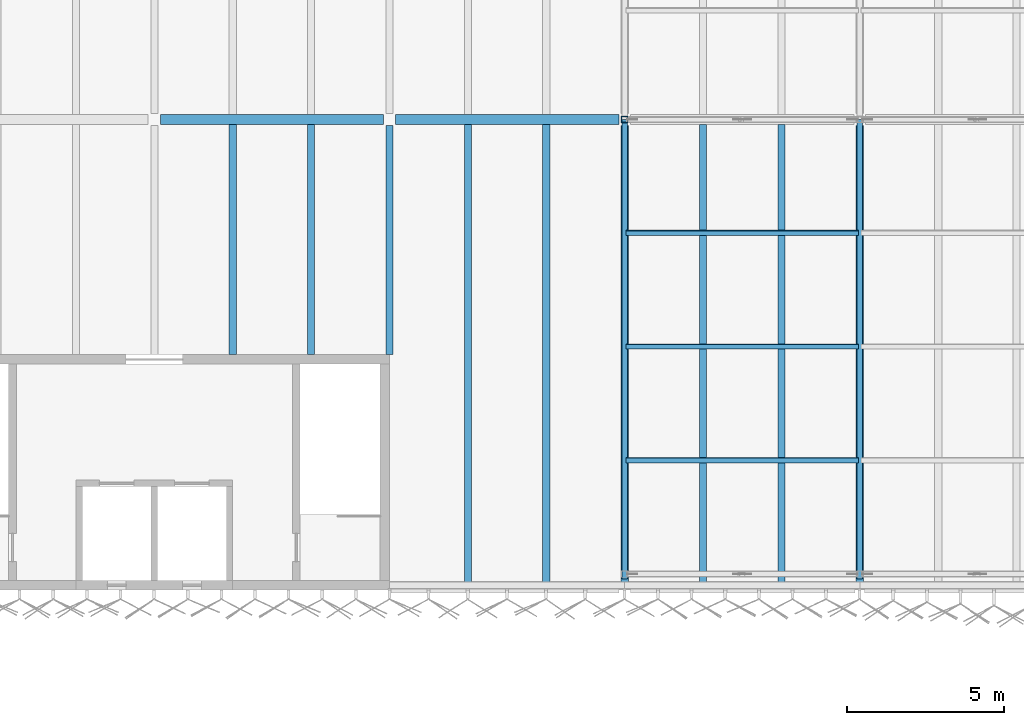
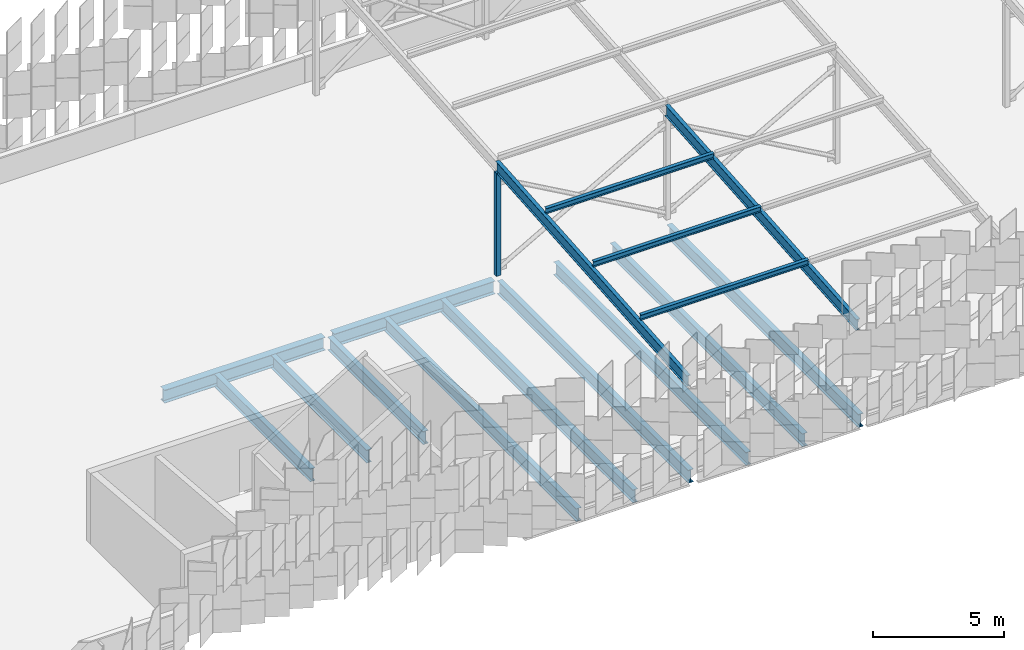
# One storey, part 80 of 483: 11 beams, 6 members.
"""IFC4 building model written with IfcOpenShell, lengths in metres."""

from ifc_helpers import new_model, si_unit, direction, frame, origin, origin_2d, place, context, subcontext, project, spatial, hollow_rectangle, i_section, extrude, material, material_profile, profile_set, type_object, element, save


model = new_model("IFC4")

# Units and contexts
model_context = context("Model", 3, precision=1e-05, world=origin(), true_north=direction((0.0, 1.0)))
body_context = subcontext(model_context, "Body", "Model", "MODEL_VIEW")
ifc_project = project(units=[si_unit("LENGTHUNIT", "METRE"), si_unit("AREAUNIT", "SQUARE_METRE"), si_unit("VOLUMEUNIT", "CUBIC_METRE"), si_unit("PLANEANGLEUNIT", "RADIAN"), si_unit("MASSUNIT", "GRAM", prefix="KILO")], contexts=[model_context])

# Site, building, storey
site_placement = place(None, origin())
site = spatial("IfcSite", under=ifc_project, at=site_placement, CompositionType="ELEMENT")
building_placement = place(site_placement, origin())
building = spatial("IfcBuilding", under=site, at=building_placement, Name="Parallax Yard Mobility Hub", CompositionType="ELEMENT")
storey_placement = place(building_placement, frame((0.0, 0.0, 13.199951171875)))
storey = spatial("IfcBuildingStorey", under=building, at=storey_placement, Name="L04", CompositionType="ELEMENT", Elevation=13.199951171875)

# Members
ifc_material_1 = material(Name="Steel ASTM A500 Gr C", Category="steel")
ifc_material_profile_1 = material_profile(ifc_material_1, hollow_rectangle(XDim=0.203125, YDim=0.203125, WallThickness=0.009521484375, at=origin_2d()), Name="HSS203x203x9.5")
ifc_profile_set_1 = profile_set([ifc_material_profile_1], Name="Steel ASTM A500 Gr C")
member_type_1 = type_object("IfcMemberType", Name="Canopy post HSS203x203x9.5", PredefinedType="POST", material=ifc_profile_set_1)
member_placement = place(storey_placement, frame((150.0, 127.5, 0.0), z_axis=(0.0, 0.0, 1.0), x_axis=(1.0, 0.0, 0.0)))
element("IfcMember", 1, at=member_placement, inside=storey, type_object=member_type_1, Name="Canopy post RB/N-C1", PredefinedType="POST", context=body_context, shape_type="SweptSolid", body=[
    extrude(hollow_rectangle(XDim=0.203125, YDim=0.203125, WallThickness=0.009521484375, at=origin_2d()), origin(), (0.0, 0.0, 1.0), 4.81005859375),
])
ifc_material_2 = material(Name="Steel ASTM A992", Category="steel")
ifc_material_profile_2 = material_profile(ifc_material_2, i_section(OverallWidth=0.14794921875, OverallDepth=0.26611328125, WebThickness=0.007568359375, FlangeThickness=0.012939453125, at=origin_2d()), Name="W250x45")
ifc_profile_set_2 = profile_set([ifc_material_profile_2], Name="Steel ASTM A992")
member_type_2 = type_object("IfcMemberType", Name="Canopy purlin W250x45", PredefinedType="PURLIN", material=ifc_profile_set_2)
for number, where, z_axis, x_axis, name in (
    (2, (150.0400390625, 116.635498046875, 4.592041015625), (1.0, 0.0, 0.0), (0.0, 0.996815308126, 0.079744852409), "Canopy purlin sector N-C bay 1 line 2"),
    (3, (150.0400390625, 120.260498046875, 4.882080078125), (1.0, 0.0, 0.0), (0.0, 0.996815308126, 0.079744852409), "Canopy purlin sector N-C bay 1 line 3"),
    (4, (150.0400390625, 123.885498046875, 5.172119140625), (1.0, 0.0, 0.0), (0.0, 0.996815308126, 0.079744852409), "Canopy purlin sector N-C bay 1 line 4"),
):
    element("IfcMember", number, at=place(storey_placement, frame(where, z_axis=z_axis, x_axis=x_axis)), inside=storey, type_object=member_type_2, Name=name, PredefinedType="PURLIN", context=body_context, shape_type="SweptSolid", body=[
        extrude(i_section(OverallWidth=0.14794921875, OverallDepth=0.26611328125, WebThickness=0.007568359375, FlangeThickness=0.012939453125, at=origin_2d()), origin(), (0.0, 0.0, 1.0), 7.419921875),
    ])
ifc_material_profile_3 = material_profile(ifc_material_2, i_section(OverallWidth=0.166015625, OverallDepth=0.529052734375, WebThickness=0.009765625, FlangeThickness=0.013671875, at=origin_2d()), Name="W530x74")
ifc_profile_set_3 = profile_set([ifc_material_profile_3], Name="Steel ASTM A992")
member_type_3 = type_object("IfcMemberType", Name="Canopy rafter W530x74", PredefinedType="RAFTER", material=ifc_profile_set_3)
for number, where, z_axis, x_axis, name in (
    (5, (150.0, 112.87109375, 3.89501953125), (0.0, 0.996814591838, 0.079753805543), (-1.0, 0.0, 0.0), "Canopy rafter N-C1 inner span"),
    (6, (157.5, 112.87109375, 3.89501953125), (0.0, 0.996814591838, 0.079753805543), (-1.0, 0.0, 0.0), "Canopy rafter N-C2 inner span"),
):
    element("IfcMember", number, at=place(storey_placement, frame(where, z_axis=z_axis, x_axis=x_axis)), inside=storey, type_object=member_type_3, Name=name, PredefinedType="RAFTER", context=body_context, shape_type="SweptSolid", body=[
        extrude(i_section(OverallWidth=0.166015625, OverallDepth=0.529052734375, WebThickness=0.009765625, FlangeThickness=0.013671875, at=origin_2d()), origin(), (0.0, 0.0, 1.0), 14.69677734375),
    ])

# Beams
ifc_material_profile_4 = material_profile(ifc_material_2, i_section(OverallWidth=0.22802734375, OverallDepth=0.60205078125, WebThickness=0.010498046875, FlangeThickness=0.014892578125, FilletRadius=0.0126953125, at=origin_2d()), Name="W610x101")
ifc_profile_set_4 = profile_set([ifc_material_profile_4], Name="Steel ASTM A992")
beam_type_1 = type_object("IfcBeamType", Name="W610x101 secondary beam", PredefinedType="JOIST", material=ifc_profile_set_4)
beam_1_placement = place(storey_placement, frame((137.5, 120.0, -0.44091796875), z_axis=(0.0, 1.0, 0.0), x_axis=(-1.0, 0.0, 0.0)))
element("IfcBeam", 7, at=beam_1_placement, inside=storey, type_object=beam_type_1, Name="Secondary beam B3 level L04, 2.5 m east of line 19 of ramped parking decks, span 1", PredefinedType="JOIST", context=body_context, shape_type="SweptSolid", body=[
    extrude(i_section(OverallWidth=0.22802734375, OverallDepth=0.60205078125, WebThickness=0.010498046875, FlangeThickness=0.014892578125, FilletRadius=0.0126953125, at=origin_2d()), origin(), (0.0, 0.0, 1.0), 7.33740234375),
])
for number, where, z_axis, x_axis, name in (
    (8, (145.0, 112.6044921875, -0.44091796875), (0.0, 1.0, 0.0), (-1.0, 0.0, 0.0), "Secondary beam B3 level L04, 2.5 m east of line 20 of ramped parking decks, span 1"),
    (9, (152.5, 112.6044921875, -0.44091796875), (0.0, 1.0, 0.0), (-1.0, 0.0, 0.0), "Secondary beam B3 level L04, 2.5 m east of line 21 of ramped parking decks, span 1"),
):
    element("IfcBeam", number, at=place(storey_placement, frame(where, z_axis=z_axis, x_axis=x_axis)), inside=storey, type_object=beam_type_1, Name=name, PredefinedType="JOIST", context=body_context, shape_type="SweptSolid", body=[
        extrude(i_section(OverallWidth=0.22802734375, OverallDepth=0.60205078125, WebThickness=0.010498046875, FlangeThickness=0.014892578125, FilletRadius=0.0126953125, at=origin_2d()), origin(), (0.0, 0.0, 1.0), 14.73291015625),
    ])
beam_2_placement = place(storey_placement, frame((140.0, 120.0, -0.44091796875), z_axis=(0.0, 1.0, 0.0), x_axis=(-1.0, 0.0, 0.0)))
element("IfcBeam", 10, at=beam_2_placement, inside=storey, type_object=beam_type_1, Name="Secondary beam B3 level L04, 5 m east of line 19 of ramped parking decks, span 1", PredefinedType="JOIST", context=body_context, shape_type="SweptSolid", body=[
    extrude(i_section(OverallWidth=0.22802734375, OverallDepth=0.60205078125, WebThickness=0.010498046875, FlangeThickness=0.014892578125, FilletRadius=0.0126953125, at=origin_2d()), origin(), (0.0, 0.0, 1.0), 7.33740234375),
])
for number, where, z_axis, x_axis, name in (
    (11, (147.5, 112.6044921875, -0.44091796875), (0.0, 1.0, 0.0), (-1.0, 0.0, 0.0), "Secondary beam B3 level L04, 5 m east of line 20 of ramped parking decks, span 1"),
    (12, (155.0, 112.6044921875, -0.44091796875), (0.0, 1.0, 0.0), (-1.0, 0.0, 0.0), "Secondary beam B3 level L04, 5 m east of line 21 of ramped parking decks, span 1"),
):
    element("IfcBeam", number, at=place(storey_placement, frame(where, z_axis=z_axis, x_axis=x_axis)), inside=storey, type_object=beam_type_1, Name=name, PredefinedType="JOIST", context=body_context, shape_type="SweptSolid", body=[
        extrude(i_section(OverallWidth=0.22802734375, OverallDepth=0.60205078125, WebThickness=0.010498046875, FlangeThickness=0.014892578125, FilletRadius=0.0126953125, at=origin_2d()), origin(), (0.0, 0.0, 1.0), 14.73291015625),
    ])
ifc_material_profile_5 = material_profile(ifc_material_2, i_section(OverallWidth=0.22900390625, OverallDepth=0.612060546875, WebThickness=0.011962890625, FlangeThickness=0.01953125, FilletRadius=0.0126953125, at=origin_2d()), Name="W610x125")
ifc_profile_set_5 = profile_set([ifc_material_profile_5], Name="Steel ASTM A992")
beam_type_2 = type_object("IfcBeamType", Name="W610x125 girder", PredefinedType="BEAM", material=ifc_profile_set_5)
beam_3_placement = place(storey_placement, frame((142.5, 120.0, -0.446044921875), z_axis=(0.0, 1.0, 0.0), x_axis=(-1.0, 0.0, 0.0)))
element("IfcBeam", 13, at=beam_3_placement, inside=storey, type_object=beam_type_2, Name="Girder G3 level L04, line 20 of ramped parking decks, span 1", PredefinedType="BEAM", context=body_context, shape_type="SweptSolid", body=[
    extrude(i_section(OverallWidth=0.22900390625, OverallDepth=0.612060546875, WebThickness=0.011962890625, FlangeThickness=0.01953125, FilletRadius=0.0126953125, at=origin_2d()), origin(), (0.0, 0.0, 1.0), 7.31201171875),
])
beam_4_placement = place(storey_placement, frame((150.0, 112.68408203125, -0.446044921875), z_axis=(0.0, 1.0, 0.0), x_axis=(-1.0, 0.0, 0.0)))
element("IfcBeam", 14, at=beam_4_placement, inside=storey, type_object=beam_type_2, Name="Girder G3 level L04, line 21 of ramped parking decks, span 1", PredefinedType="BEAM", context=body_context, shape_type="SweptSolid", body=[
    extrude(i_section(OverallWidth=0.22900390625, OverallDepth=0.612060546875, WebThickness=0.011962890625, FlangeThickness=0.01953125, FilletRadius=0.0126953125, at=origin_2d()), origin(), (0.0, 0.0, 1.0), 14.6318359375),
])
beam_5_placement = place(storey_placement, frame((157.5, 112.653564453125, -0.446044921875), z_axis=(0.0, 1.0, 0.0), x_axis=(-1.0, 0.0, 0.0)))
element("IfcBeam", 15, at=beam_5_placement, inside=storey, type_object=beam_type_2, Name="Girder G3 level L04, line 22 of ramped parking decks, span 1", PredefinedType="BEAM", context=body_context, shape_type="SweptSolid", body=[
    extrude(i_section(OverallWidth=0.22900390625, OverallDepth=0.612060546875, WebThickness=0.011962890625, FlangeThickness=0.01953125, FilletRadius=0.0126953125, at=origin_2d()), origin(), (0.0, 0.0, 1.0), 14.662353515625),
])
ifc_material_profile_6 = material_profile(ifc_material_2, i_section(OverallWidth=0.324951171875, OverallDepth=0.612060546875, WebThickness=0.0126953125, FlangeThickness=0.01904296875, FilletRadius=0.0126953125, at=origin_2d()), Name="W610x155")
ifc_profile_set_6 = profile_set([ifc_material_profile_6], Name="Steel ASTM A992")
beam_type_3 = type_object("IfcBeamType", Name="W610x155 longitudinal beam", PredefinedType="BEAM", material=ifc_profile_set_6)
beam_6_placement = place(storey_placement, frame((135.197998046875, 127.5, -0.446044921875), z_axis=(1.0, 0.0, 0.0), x_axis=(0.0, 1.0, 0.0)))
element("IfcBeam", 16, at=beam_6_placement, inside=storey, type_object=beam_type_3, Name="Longitudinal beam SB8 level L04, line T of ramped parking decks, span 15", PredefinedType="BEAM", context=body_context, shape_type="SweptSolid", body=[
    extrude(i_section(OverallWidth=0.324951171875, OverallDepth=0.612060546875, WebThickness=0.0126953125, FlangeThickness=0.01904296875, FilletRadius=0.0126953125, at=origin_2d()), origin(), (0.0, 0.0, 1.0), 7.10498046875),
])
beam_7_placement = place(storey_placement, frame((142.697021484375, 127.5, -0.446044921875), z_axis=(1.0, 0.0, 0.0), x_axis=(0.0, 1.0, 0.0)))
element("IfcBeam", 17, at=beam_7_placement, inside=storey, type_object=beam_type_3, Name="Longitudinal beam SB8 level L04, line T of ramped parking decks, span 16", PredefinedType="BEAM", context=body_context, shape_type="SweptSolid", body=[
    extrude(i_section(OverallWidth=0.324951171875, OverallDepth=0.612060546875, WebThickness=0.0126953125, FlangeThickness=0.01904296875, FilletRadius=0.0126953125, at=origin_2d()), origin(), (0.0, 0.0, 1.0), 7.116455078125),
])

save(model, "model.ifc")
